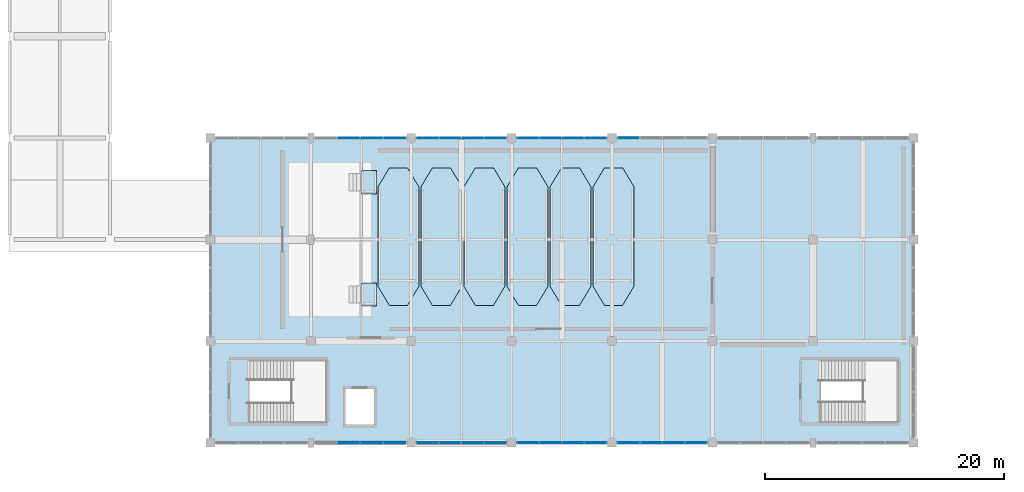
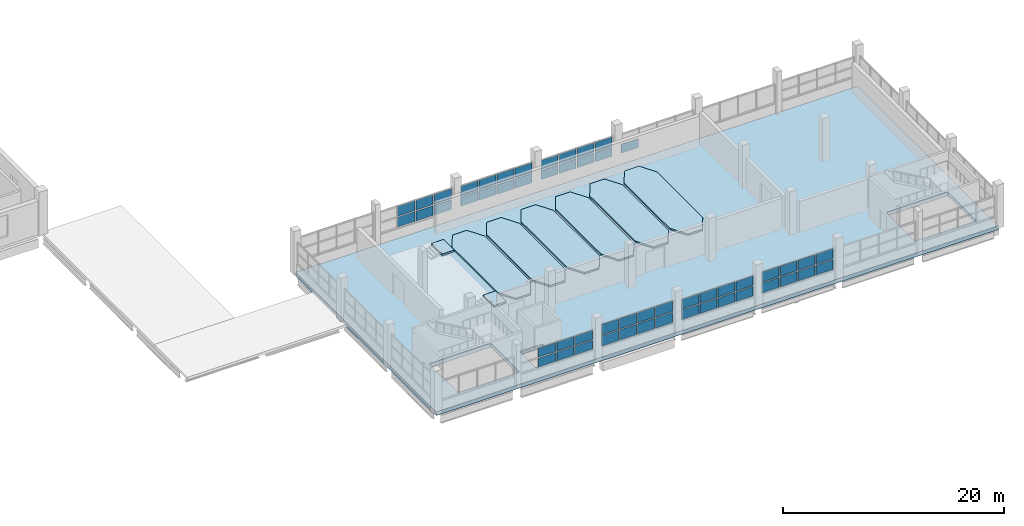
# One storey, part 91 of 117: 53 plates, 9 slabs, 8 elements without a shape of their own.
"""IFC4 building model written with IfcOpenShell, lengths in metres."""

from ifc_helpers import new_model, si_unit, direction, frame, origin, origin_2d, place, context, subcontext, project, spatial, polyline, rectangle, outline, extrude, material, layer, layer_set, type_object, element, aggregate, save


model = new_model("IFC4")

# Units and contexts
model_context = context("Model", 3, precision=1e-05, world=origin(), true_north=direction((0.0, 1.0)))
body_context = subcontext(model_context, "Body", "Model", "MODEL_VIEW")
ifc_project = project(units=[si_unit("LENGTHUNIT", "METRE"), si_unit("AREAUNIT", "SQUARE_METRE"), si_unit("VOLUMEUNIT", "CUBIC_METRE"), si_unit("PLANEANGLEUNIT", "RADIAN"), si_unit("MASSUNIT", "GRAM", prefix="KILO")], contexts=[model_context])

# Site, building, storey
site_placement = place(None, origin())
site = spatial("IfcSite", under=ifc_project, at=site_placement, CompositionType="ELEMENT")
building_placement = place(site_placement, origin())
building = spatial("IfcBuilding", under=site, at=building_placement, Name="Solvento Point Concert Hall", CompositionType="ELEMENT")
storey_placement = place(building_placement, frame((0.0, 0.0, 5.39990234375)))
storey = spatial("IfcBuildingStorey", under=building, at=storey_placement, Name="L01", CompositionType="ELEMENT", Elevation=5.39990234375)

# Curtain wall, plates
ifc_material_1 = material(Name="Anodized Bronze Aluminium", Category="aluminium")
curtain_wall_type = type_object("IfcCurtainWallType", Name="CurtainWall_ChamberCircle", PredefinedType="USERDEFINED", material=ifc_material_1)
curtain_wall_1_placement = place(storey_placement, origin())
curtain_wall_1 = element("IfcCurtainWall", 1, at=curtain_wall_1_placement, inside=storey, type_object=curtain_wall_type, Name="Unitised curtain wall CW-32 UCW-L01-077", ObjectType="UNITISED CURTAIN WALL", PredefinedType="USERDEFINED")
ifc_material_2 = material(Name="Hurricane Laminated Low-E Glass", Category="glass")
plate_type = type_object("IfcPlateType", Name="CurtainPanel_ChamberCircle", PredefinedType="CURTAIN_PANEL", material=ifc_material_2)
plate_1_placement = place(storey_placement, frame((161.578125, 25.5, 1.240234375), z_axis=(0.0, 0.0, 1.0), x_axis=(1.0, 0.0, 0.0)))
plate_1 = element("IfcPlate", 2, at=plate_1_placement, type_object=plate_type, Name="Glazed curtain panel GL-05", PredefinedType="CURTAIN_PANEL", context=body_context, shape_type="SweptSolid", body=[
    extrude(rectangle(XDim=1.798828125, YDim=0.048095703125, at=origin_2d()), origin(), (0.0, 0.0, 1.0), 1.08544921875),
])
plate_2_placement = place(storey_placement, frame((161.578125, 25.5, 2.445556640625), z_axis=(0.0, 0.0, 1.0), x_axis=(1.0, 0.0, 0.0)))
plate_2 = element("IfcPlate", 3, at=plate_2_placement, type_object=plate_type, Name="Glazed curtain panel GL-05", PredefinedType="CURTAIN_PANEL", context=body_context, shape_type="SweptSolid", body=[
    extrude(rectangle(XDim=1.798828125, YDim=0.048095703125, at=origin_2d()), origin(), (0.0, 0.0, 1.0), 1.08544921875),
])
plate_3_placement = place(storey_placement, frame((163.496826171875, 25.5, 1.240234375), z_axis=(0.0, 0.0, 1.0), x_axis=(1.0, 0.0, 0.0)))
plate_3 = element("IfcPlate", 4, at=plate_3_placement, type_object=plate_type, Name="Glazed curtain panel GL-05", PredefinedType="CURTAIN_PANEL", context=body_context, shape_type="SweptSolid", body=[
    extrude(rectangle(XDim=1.798828125, YDim=0.048095703125, at=origin_2d()), origin(), (0.0, 0.0, 1.0), 1.08544921875),
])
plate_4_placement = place(storey_placement, frame((163.496826171875, 25.5, 2.445556640625), z_axis=(0.0, 0.0, 1.0), x_axis=(1.0, 0.0, 0.0)))
plate_4 = element("IfcPlate", 5, at=plate_4_placement, type_object=plate_type, Name="Glazed curtain panel GL-05", PredefinedType="CURTAIN_PANEL", context=body_context, shape_type="SweptSolid", body=[
    extrude(rectangle(XDim=1.798828125, YDim=0.048095703125, at=origin_2d()), origin(), (0.0, 0.0, 1.0), 1.08544921875),
])
plate_5_placement = place(storey_placement, frame((165.41552734375, 25.5, 1.240234375), z_axis=(0.0, 0.0, 1.0), x_axis=(1.0, 0.0, 0.0)))
plate_5 = element("IfcPlate", 6, at=plate_5_placement, type_object=plate_type, Name="Glazed curtain panel GL-05", PredefinedType="CURTAIN_PANEL", context=body_context, shape_type="SweptSolid", body=[
    extrude(rectangle(XDim=1.798828125, YDim=0.048095703125, at=origin_2d()), origin(), (0.0, 0.0, 1.0), 1.08544921875),
])
plate_6_placement = place(storey_placement, frame((165.41552734375, 25.5, 2.445556640625), z_axis=(0.0, 0.0, 1.0), x_axis=(1.0, 0.0, 0.0)))
plate_6 = element("IfcPlate", 7, at=plate_6_placement, type_object=plate_type, Name="Glazed curtain panel GL-05", PredefinedType="CURTAIN_PANEL", context=body_context, shape_type="SweptSolid", body=[
    extrude(rectangle(XDim=1.798828125, YDim=0.048095703125, at=origin_2d()), origin(), (0.0, 0.0, 1.0), 1.08544921875),
])
aggregate(curtain_wall_1, [plate_1, plate_2, plate_3, plate_4, plate_5, plate_6])

curtain_wall_2_placement = place(storey_placement, origin())
curtain_wall_2 = element("IfcCurtainWall", 8, at=curtain_wall_2_placement, inside=storey, type_object=curtain_wall_type, Name="Unitised curtain wall CW-32 UCW-L01-078", ObjectType="UNITISED CURTAIN WALL", PredefinedType="USERDEFINED")
plate_7_placement = place(storey_placement, frame((168.168701171875, 25.5, 1.240234375), z_axis=(0.0, 0.0, 1.0), x_axis=(1.0, 0.0, 0.0)))
plate_7 = element("IfcPlate", 9, at=plate_7_placement, type_object=plate_type, Name="Glazed curtain panel GL-05", PredefinedType="CURTAIN_PANEL", context=body_context, shape_type="SweptSolid", body=[
    extrude(rectangle(XDim=1.767578125, YDim=0.048095703125, at=origin_2d()), origin(), (0.0, 0.0, 1.0), 1.047119140625),
])
plate_8_placement = place(storey_placement, frame((168.168701171875, 25.5, 2.4072265625), z_axis=(0.0, 0.0, 1.0), x_axis=(1.0, 0.0, 0.0)))
plate_8 = element("IfcPlate", 10, at=plate_8_placement, type_object=plate_type, Name="Glazed curtain panel GL-05", PredefinedType="CURTAIN_PANEL", context=body_context, shape_type="SweptSolid", body=[
    extrude(rectangle(XDim=1.767578125, YDim=0.048095703125, at=origin_2d()), origin(), (0.0, 0.0, 1.0), 1.047119140625),
])
plate_9_placement = place(storey_placement, frame((170.056396484375, 25.5, 1.240234375), z_axis=(0.0, 0.0, 1.0), x_axis=(1.0, 0.0, 0.0)))
plate_9 = element("IfcPlate", 11, at=plate_9_placement, type_object=plate_type, Name="Glazed curtain panel GL-05", PredefinedType="CURTAIN_PANEL", context=body_context, shape_type="SweptSolid", body=[
    extrude(rectangle(XDim=1.767578125, YDim=0.048095703125, at=origin_2d()), origin(), (0.0, 0.0, 1.0), 1.047119140625),
])
plate_10_placement = place(storey_placement, frame((170.056396484375, 25.5, 2.4072265625), z_axis=(0.0, 0.0, 1.0), x_axis=(1.0, 0.0, 0.0)))
plate_10 = element("IfcPlate", 12, at=plate_10_placement, type_object=plate_type, Name="Glazed curtain panel GL-05", PredefinedType="CURTAIN_PANEL", context=body_context, shape_type="SweptSolid", body=[
    extrude(rectangle(XDim=1.767578125, YDim=0.048095703125, at=origin_2d()), origin(), (0.0, 0.0, 1.0), 1.047119140625),
])
plate_11_placement = place(storey_placement, frame((171.943603515625, 25.5, 1.240234375), z_axis=(0.0, 0.0, 1.0), x_axis=(1.0, 0.0, 0.0)))
plate_11 = element("IfcPlate", 13, at=plate_11_placement, type_object=plate_type, Name="Glazed curtain panel GL-05", PredefinedType="CURTAIN_PANEL", context=body_context, shape_type="SweptSolid", body=[
    extrude(rectangle(XDim=1.767578125, YDim=0.048095703125, at=origin_2d()), origin(), (0.0, 0.0, 1.0), 1.047119140625),
])
plate_12_placement = place(storey_placement, frame((171.943603515625, 25.5, 2.4072265625), z_axis=(0.0, 0.0, 1.0), x_axis=(1.0, 0.0, 0.0)))
plate_12 = element("IfcPlate", 14, at=plate_12_placement, type_object=plate_type, Name="Glazed curtain panel GL-05", PredefinedType="CURTAIN_PANEL", context=body_context, shape_type="SweptSolid", body=[
    extrude(rectangle(XDim=1.767578125, YDim=0.048095703125, at=origin_2d()), origin(), (0.0, 0.0, 1.0), 1.047119140625),
])
plate_13_placement = place(storey_placement, frame((173.831298828125, 25.5, 1.240234375), z_axis=(0.0, 0.0, 1.0), x_axis=(1.0, 0.0, 0.0)))
plate_13 = element("IfcPlate", 15, at=plate_13_placement, type_object=plate_type, Name="Glazed curtain panel GL-05", PredefinedType="CURTAIN_PANEL", context=body_context, shape_type="SweptSolid", body=[
    extrude(rectangle(XDim=1.767578125, YDim=0.048095703125, at=origin_2d()), origin(), (0.0, 0.0, 1.0), 1.047119140625),
])
plate_14_placement = place(storey_placement, frame((173.831298828125, 25.5, 2.4072265625), z_axis=(0.0, 0.0, 1.0), x_axis=(1.0, 0.0, 0.0)))
plate_14 = element("IfcPlate", 16, at=plate_14_placement, type_object=plate_type, Name="Glazed curtain panel GL-05", PredefinedType="CURTAIN_PANEL", context=body_context, shape_type="SweptSolid", body=[
    extrude(rectangle(XDim=1.767578125, YDim=0.048095703125, at=origin_2d()), origin(), (0.0, 0.0, 1.0), 1.047119140625),
])
aggregate(curtain_wall_2, [plate_7, plate_8, plate_9, plate_10, plate_11, plate_12, plate_13, plate_14])

curtain_wall_3_placement = place(storey_placement, origin())
curtain_wall_3 = element("IfcCurtainWall", 17, at=curtain_wall_3_placement, inside=storey, type_object=curtain_wall_type, Name="Unitised curtain wall CW-32 UCW-L01-079", ObjectType="UNITISED CURTAIN WALL", PredefinedType="USERDEFINED")
plate_15_placement = place(storey_placement, frame((176.568603515625, 25.5, 1.239990234375), z_axis=(0.0, 0.0, 1.0), x_axis=(1.0, 0.0, 0.0)))
plate_15 = element("IfcPlate", 18, at=plate_15_placement, type_object=plate_type, Name="Glazed curtain panel GL-05", PredefinedType="CURTAIN_PANEL", context=body_context, shape_type="SweptSolid", body=[
    extrude(rectangle(XDim=1.767578125, YDim=0.048095703125, at=origin_2d()), origin(), (0.0, 0.0, 1.0), 1.00244140625),
])
plate_16_placement = place(storey_placement, frame((176.568603515625, 25.5, 2.362548828125), z_axis=(0.0, 0.0, 1.0), x_axis=(1.0, 0.0, 0.0)))
plate_16 = element("IfcPlate", 19, at=plate_16_placement, type_object=plate_type, Name="Glazed curtain panel GL-05", PredefinedType="CURTAIN_PANEL", context=body_context, shape_type="SweptSolid", body=[
    extrude(rectangle(XDim=1.767578125, YDim=0.048095703125, at=origin_2d()), origin(), (0.0, 0.0, 1.0), 1.00244140625),
])
plate_17_placement = place(storey_placement, frame((178.456298828125, 25.5, 1.239990234375), z_axis=(0.0, 0.0, 1.0), x_axis=(1.0, 0.0, 0.0)))
plate_17 = element("IfcPlate", 20, at=plate_17_placement, type_object=plate_type, Name="Glazed curtain panel GL-05", PredefinedType="CURTAIN_PANEL", context=body_context, shape_type="SweptSolid", body=[
    extrude(rectangle(XDim=1.767578125, YDim=0.048095703125, at=origin_2d()), origin(), (0.0, 0.0, 1.0), 1.00244140625),
])
plate_18_placement = place(storey_placement, frame((178.456298828125, 25.5, 2.362548828125), z_axis=(0.0, 0.0, 1.0), x_axis=(1.0, 0.0, 0.0)))
plate_18 = element("IfcPlate", 21, at=plate_18_placement, type_object=plate_type, Name="Glazed curtain panel GL-05", PredefinedType="CURTAIN_PANEL", context=body_context, shape_type="SweptSolid", body=[
    extrude(rectangle(XDim=1.767578125, YDim=0.048095703125, at=origin_2d()), origin(), (0.0, 0.0, 1.0), 1.00244140625),
])
plate_19_placement = place(storey_placement, frame((180.34375, 25.5, 1.239990234375), z_axis=(0.0, 0.0, 1.0), x_axis=(1.0, 0.0, 0.0)))
plate_19 = element("IfcPlate", 22, at=plate_19_placement, type_object=plate_type, Name="Glazed curtain panel GL-05", PredefinedType="CURTAIN_PANEL", context=body_context, shape_type="SweptSolid", body=[
    extrude(rectangle(XDim=1.767578125, YDim=0.048095703125, at=origin_2d()), origin(), (0.0, 0.0, 1.0), 1.00244140625),
])
plate_20_placement = place(storey_placement, frame((180.34375, 25.5, 2.362548828125), z_axis=(0.0, 0.0, 1.0), x_axis=(1.0, 0.0, 0.0)))
plate_20 = element("IfcPlate", 23, at=plate_20_placement, type_object=plate_type, Name="Glazed curtain panel GL-05", PredefinedType="CURTAIN_PANEL", context=body_context, shape_type="SweptSolid", body=[
    extrude(rectangle(XDim=1.767578125, YDim=0.048095703125, at=origin_2d()), origin(), (0.0, 0.0, 1.0), 1.00244140625),
])
plate_21_placement = place(storey_placement, frame((182.231201171875, 25.5, 1.239990234375), z_axis=(0.0, 0.0, 1.0), x_axis=(1.0, 0.0, 0.0)))
plate_21 = element("IfcPlate", 24, at=plate_21_placement, type_object=plate_type, Name="Glazed curtain panel GL-05", PredefinedType="CURTAIN_PANEL", context=body_context, shape_type="SweptSolid", body=[
    extrude(rectangle(XDim=1.767578125, YDim=0.048095703125, at=origin_2d()), origin(), (0.0, 0.0, 1.0), 1.00244140625),
])
plate_22_placement = place(storey_placement, frame((182.231201171875, 25.5, 2.362548828125), z_axis=(0.0, 0.0, 1.0), x_axis=(1.0, 0.0, 0.0)))
plate_22 = element("IfcPlate", 25, at=plate_22_placement, type_object=plate_type, Name="Glazed curtain panel GL-05", PredefinedType="CURTAIN_PANEL", context=body_context, shape_type="SweptSolid", body=[
    extrude(rectangle(XDim=1.767578125, YDim=0.048095703125, at=origin_2d()), origin(), (0.0, 0.0, 1.0), 1.00244140625),
])
aggregate(curtain_wall_3, [plate_15, plate_16, plate_17, plate_18, plate_19, plate_20, plate_21, plate_22])

# Curtain wall, plate
curtain_wall_4_placement = place(storey_placement, origin())
curtain_wall_4 = element("IfcCurtainWall", 26, at=curtain_wall_4_placement, inside=storey, type_object=curtain_wall_type, Name="Unitised curtain wall CW-32 UCW-L01-080", ObjectType="UNITISED CURTAIN WALL", PredefinedType="USERDEFINED")
plate_23_placement = place(storey_placement, frame((184.96875, 25.5, 1.240234375), z_axis=(0.0, 0.0, 1.0), x_axis=(1.0, 0.0, 0.0)))
plate_23 = element("IfcPlate", 27, at=plate_23_placement, type_object=plate_type, Name="Glazed curtain panel GL-05", PredefinedType="CURTAIN_PANEL", context=body_context, shape_type="SweptSolid", body=[
    extrude(rectangle(XDim=1.767578125, YDim=0.048095703125, at=origin_2d()), origin(), (0.0, 0.0, 1.0), 0.968505859375),
])
aggregate(curtain_wall_4, [plate_23])

# Curtain wall, plates
curtain_wall_5_placement = place(storey_placement, origin())
curtain_wall_5 = element("IfcCurtainWall", 28, at=curtain_wall_5_placement, inside=storey, type_object=curtain_wall_type, Name="Unitised curtain wall CW-32 UCW-L01-087", ObjectType="UNITISED CURTAIN WALL", PredefinedType="USERDEFINED")
plate_24_placement = place(storey_placement, frame((161.578125, 0.0, 1.240234375), z_axis=(0.0, 0.0, 1.0), x_axis=(1.0, 0.0, 0.0)))
plate_24 = element("IfcPlate", 29, at=plate_24_placement, type_object=plate_type, Name="Glazed curtain panel GL-05", PredefinedType="CURTAIN_PANEL", context=body_context, shape_type="SweptSolid", body=[
    extrude(rectangle(XDim=1.798828125, YDim=0.048095703125, at=origin_2d()), origin(), (0.0, 0.0, 1.0), 0.971923828125),
])
plate_25_placement = place(storey_placement, frame((161.578125, 0.0, 2.33203125), z_axis=(0.0, 0.0, 1.0), x_axis=(1.0, 0.0, 0.0)))
plate_25 = element("IfcPlate", 30, at=plate_25_placement, type_object=plate_type, Name="Glazed curtain panel GL-05", PredefinedType="CURTAIN_PANEL", context=body_context, shape_type="SweptSolid", body=[
    extrude(rectangle(XDim=1.798828125, YDim=0.048095703125, at=origin_2d()), origin(), (0.0, 0.0, 1.0), 0.971923828125),
])
plate_26_placement = place(storey_placement, frame((163.496826171875, 0.0, 1.240234375), z_axis=(0.0, 0.0, 1.0), x_axis=(1.0, 0.0, 0.0)))
plate_26 = element("IfcPlate", 31, at=plate_26_placement, type_object=plate_type, Name="Glazed curtain panel GL-05", PredefinedType="CURTAIN_PANEL", context=body_context, shape_type="SweptSolid", body=[
    extrude(rectangle(XDim=1.798828125, YDim=0.048095703125, at=origin_2d()), origin(), (0.0, 0.0, 1.0), 0.971923828125),
])
plate_27_placement = place(storey_placement, frame((163.496826171875, 0.0, 2.33203125), z_axis=(0.0, 0.0, 1.0), x_axis=(1.0, 0.0, 0.0)))
plate_27 = element("IfcPlate", 32, at=plate_27_placement, type_object=plate_type, Name="Glazed curtain panel GL-05", PredefinedType="CURTAIN_PANEL", context=body_context, shape_type="SweptSolid", body=[
    extrude(rectangle(XDim=1.798828125, YDim=0.048095703125, at=origin_2d()), origin(), (0.0, 0.0, 1.0), 0.971923828125),
])
plate_28_placement = place(storey_placement, frame((165.41552734375, 0.0, 1.240234375), z_axis=(0.0, 0.0, 1.0), x_axis=(1.0, 0.0, 0.0)))
plate_28 = element("IfcPlate", 33, at=plate_28_placement, type_object=plate_type, Name="Glazed curtain panel GL-05", PredefinedType="CURTAIN_PANEL", context=body_context, shape_type="SweptSolid", body=[
    extrude(rectangle(XDim=1.798828125, YDim=0.048095703125, at=origin_2d()), origin(), (0.0, 0.0, 1.0), 0.971923828125),
])
plate_29_placement = place(storey_placement, frame((165.41552734375, 0.0, 2.33203125), z_axis=(0.0, 0.0, 1.0), x_axis=(1.0, 0.0, 0.0)))
plate_29 = element("IfcPlate", 34, at=plate_29_placement, type_object=plate_type, Name="Glazed curtain panel GL-05", PredefinedType="CURTAIN_PANEL", context=body_context, shape_type="SweptSolid", body=[
    extrude(rectangle(XDim=1.798828125, YDim=0.048095703125, at=origin_2d()), origin(), (0.0, 0.0, 1.0), 0.971923828125),
])
aggregate(curtain_wall_5, [plate_24, plate_25, plate_26, plate_27, plate_28, plate_29])

curtain_wall_6_placement = place(storey_placement, origin())
curtain_wall_6 = element("IfcCurtainWall", 35, at=curtain_wall_6_placement, inside=storey, type_object=curtain_wall_type, Name="Unitised curtain wall CW-32 UCW-L01-088", ObjectType="UNITISED CURTAIN WALL", PredefinedType="USERDEFINED")
plate_30_placement = place(storey_placement, frame((168.168701171875, 0.0, 1.240234375), z_axis=(0.0, 0.0, 1.0), x_axis=(1.0, 0.0, 0.0)))
plate_30 = element("IfcPlate", 36, at=plate_30_placement, type_object=plate_type, Name="Glazed curtain panel GL-05", PredefinedType="CURTAIN_PANEL", context=body_context, shape_type="SweptSolid", body=[
    extrude(rectangle(XDim=1.767578125, YDim=0.048095703125, at=origin_2d()), origin(), (0.0, 0.0, 1.0), 1.1279296875),
])
plate_31_placement = place(storey_placement, frame((168.168701171875, 0.0, 2.488037109375), z_axis=(0.0, 0.0, 1.0), x_axis=(1.0, 0.0, 0.0)))
plate_31 = element("IfcPlate", 37, at=plate_31_placement, type_object=plate_type, Name="Glazed curtain panel GL-05", PredefinedType="CURTAIN_PANEL", context=body_context, shape_type="SweptSolid", body=[
    extrude(rectangle(XDim=1.767578125, YDim=0.048095703125, at=origin_2d()), origin(), (0.0, 0.0, 1.0), 1.1279296875),
])
plate_32_placement = place(storey_placement, frame((170.056396484375, 0.0, 1.240234375), z_axis=(0.0, 0.0, 1.0), x_axis=(1.0, 0.0, 0.0)))
plate_32 = element("IfcPlate", 38, at=plate_32_placement, type_object=plate_type, Name="Glazed curtain panel GL-05", PredefinedType="CURTAIN_PANEL", context=body_context, shape_type="SweptSolid", body=[
    extrude(rectangle(XDim=1.767578125, YDim=0.048095703125, at=origin_2d()), origin(), (0.0, 0.0, 1.0), 1.1279296875),
])
plate_33_placement = place(storey_placement, frame((170.056396484375, 0.0, 2.488037109375), z_axis=(0.0, 0.0, 1.0), x_axis=(1.0, 0.0, 0.0)))
plate_33 = element("IfcPlate", 39, at=plate_33_placement, type_object=plate_type, Name="Glazed curtain panel GL-05", PredefinedType="CURTAIN_PANEL", context=body_context, shape_type="SweptSolid", body=[
    extrude(rectangle(XDim=1.767578125, YDim=0.048095703125, at=origin_2d()), origin(), (0.0, 0.0, 1.0), 1.1279296875),
])
plate_34_placement = place(storey_placement, frame((171.943603515625, 0.0, 1.240234375), z_axis=(0.0, 0.0, 1.0), x_axis=(1.0, 0.0, 0.0)))
plate_34 = element("IfcPlate", 40, at=plate_34_placement, type_object=plate_type, Name="Glazed curtain panel GL-05", PredefinedType="CURTAIN_PANEL", context=body_context, shape_type="SweptSolid", body=[
    extrude(rectangle(XDim=1.767578125, YDim=0.048095703125, at=origin_2d()), origin(), (0.0, 0.0, 1.0), 1.1279296875),
])
plate_35_placement = place(storey_placement, frame((171.943603515625, 0.0, 2.488037109375), z_axis=(0.0, 0.0, 1.0), x_axis=(1.0, 0.0, 0.0)))
plate_35 = element("IfcPlate", 41, at=plate_35_placement, type_object=plate_type, Name="Glazed curtain panel GL-05", PredefinedType="CURTAIN_PANEL", context=body_context, shape_type="SweptSolid", body=[
    extrude(rectangle(XDim=1.767578125, YDim=0.048095703125, at=origin_2d()), origin(), (0.0, 0.0, 1.0), 1.1279296875),
])
plate_36_placement = place(storey_placement, frame((173.831298828125, 0.0, 1.240234375), z_axis=(0.0, 0.0, 1.0), x_axis=(1.0, 0.0, 0.0)))
plate_36 = element("IfcPlate", 42, at=plate_36_placement, type_object=plate_type, Name="Glazed curtain panel GL-05", PredefinedType="CURTAIN_PANEL", context=body_context, shape_type="SweptSolid", body=[
    extrude(rectangle(XDim=1.767578125, YDim=0.048095703125, at=origin_2d()), origin(), (0.0, 0.0, 1.0), 1.1279296875),
])
plate_37_placement = place(storey_placement, frame((173.831298828125, 0.0, 2.488037109375), z_axis=(0.0, 0.0, 1.0), x_axis=(1.0, 0.0, 0.0)))
plate_37 = element("IfcPlate", 43, at=plate_37_placement, type_object=plate_type, Name="Glazed curtain panel GL-05", PredefinedType="CURTAIN_PANEL", context=body_context, shape_type="SweptSolid", body=[
    extrude(rectangle(XDim=1.767578125, YDim=0.048095703125, at=origin_2d()), origin(), (0.0, 0.0, 1.0), 1.1279296875),
])
aggregate(curtain_wall_6, [plate_30, plate_31, plate_32, plate_33, plate_34, plate_35, plate_36, plate_37])

curtain_wall_7_placement = place(storey_placement, origin())
curtain_wall_7 = element("IfcCurtainWall", 44, at=curtain_wall_7_placement, inside=storey, type_object=curtain_wall_type, Name="Unitised curtain wall CW-32 UCW-L01-089", ObjectType="UNITISED CURTAIN WALL", PredefinedType="USERDEFINED")
plate_38_placement = place(storey_placement, frame((176.568603515625, 0.0, 1.239990234375), z_axis=(0.0, 0.0, 1.0), x_axis=(1.0, 0.0, 0.0)))
plate_38 = element("IfcPlate", 45, at=plate_38_placement, type_object=plate_type, Name="Glazed curtain panel GL-05", PredefinedType="CURTAIN_PANEL", context=body_context, shape_type="SweptSolid", body=[
    extrude(rectangle(XDim=1.767578125, YDim=0.048095703125, at=origin_2d()), origin(), (0.0, 0.0, 1.0), 1.0419921875),
])
plate_39_placement = place(storey_placement, frame((176.568603515625, 0.0, 2.402099609375), z_axis=(0.0, 0.0, 1.0), x_axis=(1.0, 0.0, 0.0)))
plate_39 = element("IfcPlate", 46, at=plate_39_placement, type_object=plate_type, Name="Glazed curtain panel GL-05", PredefinedType="CURTAIN_PANEL", context=body_context, shape_type="SweptSolid", body=[
    extrude(rectangle(XDim=1.767578125, YDim=0.048095703125, at=origin_2d()), origin(), (0.0, 0.0, 1.0), 1.0419921875),
])
plate_40_placement = place(storey_placement, frame((178.456298828125, 0.0, 1.239990234375), z_axis=(0.0, 0.0, 1.0), x_axis=(1.0, 0.0, 0.0)))
plate_40 = element("IfcPlate", 47, at=plate_40_placement, type_object=plate_type, Name="Glazed curtain panel GL-05", PredefinedType="CURTAIN_PANEL", context=body_context, shape_type="SweptSolid", body=[
    extrude(rectangle(XDim=1.767578125, YDim=0.048095703125, at=origin_2d()), origin(), (0.0, 0.0, 1.0), 1.0419921875),
])
plate_41_placement = place(storey_placement, frame((178.456298828125, 0.0, 2.402099609375), z_axis=(0.0, 0.0, 1.0), x_axis=(1.0, 0.0, 0.0)))
plate_41 = element("IfcPlate", 48, at=plate_41_placement, type_object=plate_type, Name="Glazed curtain panel GL-05", PredefinedType="CURTAIN_PANEL", context=body_context, shape_type="SweptSolid", body=[
    extrude(rectangle(XDim=1.767578125, YDim=0.048095703125, at=origin_2d()), origin(), (0.0, 0.0, 1.0), 1.0419921875),
])
plate_42_placement = place(storey_placement, frame((180.34375, 0.0, 1.239990234375), z_axis=(0.0, 0.0, 1.0), x_axis=(1.0, 0.0, 0.0)))
plate_42 = element("IfcPlate", 49, at=plate_42_placement, type_object=plate_type, Name="Glazed curtain panel GL-05", PredefinedType="CURTAIN_PANEL", context=body_context, shape_type="SweptSolid", body=[
    extrude(rectangle(XDim=1.767578125, YDim=0.048095703125, at=origin_2d()), origin(), (0.0, 0.0, 1.0), 1.0419921875),
])
plate_43_placement = place(storey_placement, frame((180.34375, 0.0, 2.402099609375), z_axis=(0.0, 0.0, 1.0), x_axis=(1.0, 0.0, 0.0)))
plate_43 = element("IfcPlate", 50, at=plate_43_placement, type_object=plate_type, Name="Glazed curtain panel GL-05", PredefinedType="CURTAIN_PANEL", context=body_context, shape_type="SweptSolid", body=[
    extrude(rectangle(XDim=1.767578125, YDim=0.048095703125, at=origin_2d()), origin(), (0.0, 0.0, 1.0), 1.0419921875),
])
plate_44_placement = place(storey_placement, frame((182.231201171875, 0.0, 1.239990234375), z_axis=(0.0, 0.0, 1.0), x_axis=(1.0, 0.0, 0.0)))
plate_44 = element("IfcPlate", 51, at=plate_44_placement, type_object=plate_type, Name="Glazed curtain panel GL-05", PredefinedType="CURTAIN_PANEL", context=body_context, shape_type="SweptSolid", body=[
    extrude(rectangle(XDim=1.767578125, YDim=0.048095703125, at=origin_2d()), origin(), (0.0, 0.0, 1.0), 1.0419921875),
])
plate_45_placement = place(storey_placement, frame((182.231201171875, 0.0, 2.402099609375), z_axis=(0.0, 0.0, 1.0), x_axis=(1.0, 0.0, 0.0)))
plate_45 = element("IfcPlate", 52, at=plate_45_placement, type_object=plate_type, Name="Glazed curtain panel GL-05", PredefinedType="CURTAIN_PANEL", context=body_context, shape_type="SweptSolid", body=[
    extrude(rectangle(XDim=1.767578125, YDim=0.048095703125, at=origin_2d()), origin(), (0.0, 0.0, 1.0), 1.0419921875),
])
aggregate(curtain_wall_7, [plate_38, plate_39, plate_40, plate_41, plate_42, plate_43, plate_44, plate_45])

curtain_wall_8_placement = place(storey_placement, origin())
curtain_wall_8 = element("IfcCurtainWall", 53, at=curtain_wall_8_placement, inside=storey, type_object=curtain_wall_type, Name="Unitised curtain wall CW-32 UCW-L01-090", ObjectType="UNITISED CURTAIN WALL", PredefinedType="USERDEFINED")
plate_46_placement = place(storey_placement, frame((184.96875, 0.0, 1.240234375), z_axis=(0.0, 0.0, 1.0), x_axis=(1.0, 0.0, 0.0)))
plate_46 = element("IfcPlate", 54, at=plate_46_placement, type_object=plate_type, Name="Glazed curtain panel GL-05", PredefinedType="CURTAIN_PANEL", context=body_context, shape_type="SweptSolid", body=[
    extrude(rectangle(XDim=1.767578125, YDim=0.048095703125, at=origin_2d()), origin(), (0.0, 0.0, 1.0), 1.08544921875),
])
plate_47_placement = place(storey_placement, frame((184.96875, 0.0, 2.445556640625), z_axis=(0.0, 0.0, 1.0), x_axis=(1.0, 0.0, 0.0)))
plate_47 = element("IfcPlate", 55, at=plate_47_placement, type_object=plate_type, Name="Glazed curtain panel GL-05", PredefinedType="CURTAIN_PANEL", context=body_context, shape_type="SweptSolid", body=[
    extrude(rectangle(XDim=1.767578125, YDim=0.048095703125, at=origin_2d()), origin(), (0.0, 0.0, 1.0), 1.08544921875),
])
plate_48_placement = place(storey_placement, frame((186.856201171875, 0.0, 1.240234375), z_axis=(0.0, 0.0, 1.0), x_axis=(1.0, 0.0, 0.0)))
plate_48 = element("IfcPlate", 56, at=plate_48_placement, type_object=plate_type, Name="Glazed curtain panel GL-05", PredefinedType="CURTAIN_PANEL", context=body_context, shape_type="SweptSolid", body=[
    extrude(rectangle(XDim=1.767578125, YDim=0.048095703125, at=origin_2d()), origin(), (0.0, 0.0, 1.0), 1.08544921875),
])
plate_49_placement = place(storey_placement, frame((186.856201171875, 0.0, 2.445556640625), z_axis=(0.0, 0.0, 1.0), x_axis=(1.0, 0.0, 0.0)))
plate_49 = element("IfcPlate", 57, at=plate_49_placement, type_object=plate_type, Name="Glazed curtain panel GL-05", PredefinedType="CURTAIN_PANEL", context=body_context, shape_type="SweptSolid", body=[
    extrude(rectangle(XDim=1.767578125, YDim=0.048095703125, at=origin_2d()), origin(), (0.0, 0.0, 1.0), 1.08544921875),
])
plate_50_placement = place(storey_placement, frame((188.743896484375, 0.0, 1.240234375), z_axis=(0.0, 0.0, 1.0), x_axis=(1.0, 0.0, 0.0)))
plate_50 = element("IfcPlate", 58, at=plate_50_placement, type_object=plate_type, Name="Glazed curtain panel GL-05", PredefinedType="CURTAIN_PANEL", context=body_context, shape_type="SweptSolid", body=[
    extrude(rectangle(XDim=1.767578125, YDim=0.048095703125, at=origin_2d()), origin(), (0.0, 0.0, 1.0), 1.08544921875),
])
plate_51_placement = place(storey_placement, frame((188.743896484375, 0.0, 2.445556640625), z_axis=(0.0, 0.0, 1.0), x_axis=(1.0, 0.0, 0.0)))
plate_51 = element("IfcPlate", 59, at=plate_51_placement, type_object=plate_type, Name="Glazed curtain panel GL-05", PredefinedType="CURTAIN_PANEL", context=body_context, shape_type="SweptSolid", body=[
    extrude(rectangle(XDim=1.767578125, YDim=0.048095703125, at=origin_2d()), origin(), (0.0, 0.0, 1.0), 1.08544921875),
])
plate_52_placement = place(storey_placement, frame((190.631103515625, 0.0, 1.240234375), z_axis=(0.0, 0.0, 1.0), x_axis=(1.0, 0.0, 0.0)))
plate_52 = element("IfcPlate", 60, at=plate_52_placement, type_object=plate_type, Name="Glazed curtain panel GL-05", PredefinedType="CURTAIN_PANEL", context=body_context, shape_type="SweptSolid", body=[
    extrude(rectangle(XDim=1.767578125, YDim=0.048095703125, at=origin_2d()), origin(), (0.0, 0.0, 1.0), 1.08544921875),
])
plate_53_placement = place(storey_placement, frame((190.631103515625, 0.0, 2.445556640625), z_axis=(0.0, 0.0, 1.0), x_axis=(1.0, 0.0, 0.0)))
plate_53 = element("IfcPlate", 61, at=plate_53_placement, type_object=plate_type, Name="Glazed curtain panel GL-05", PredefinedType="CURTAIN_PANEL", context=body_context, shape_type="SweptSolid", body=[
    extrude(rectangle(XDim=1.767578125, YDim=0.048095703125, at=origin_2d()), origin(), (0.0, 0.0, 1.0), 1.08544921875),
])
aggregate(curtain_wall_8, [plate_46, plate_47, plate_48, plate_49, plate_50, plate_51, plate_52, plate_53])

# Slabs
ifc_material_3 = material(Name="Concrete C40/50", Category="concrete")
ifc_layer_1 = layer(ifc_material_3, 0.419921875)
ifc_layer_set_1 = layer_set([ifc_layer_1], Name="Concrete C40/50")
slab_type_1 = type_object("IfcSlabType", Name="FloorSlab_400_Hall", PredefinedType="FLOOR", material=ifc_layer_set_1)
slab_1_placement = place(storey_placement, frame((0.0, 0.0, -0.419921875)))
element("IfcSlab", 62, at=slab_1_placement, inside=storey, type_object=slab_type_1, Name="Structural slab SL-AC1 SLAB-L01-V3", PredefinedType="FLOOR", context=body_context, shape_type="SweptSolid", body=[
    extrude(outline(polyline([(150.0, 25.5), (208.800048828125, 25.5), (208.800048828125, 0.0), (150.0, 0.0), (150.0, 25.5)]), holes=[polyline([(207.5, 6.89990234375), (201.050048828125, 6.89990234375), (201.050048828125, 1.699951171875), (207.5, 1.699951171875), (207.5, 6.89990234375)]), polyline([(163.679931640625, 1.52001953125), (163.679931640625, 4.47998046875), (161.320068359375, 4.47998046875), (161.320068359375, 1.52001953125), (163.679931640625, 1.52001953125)]), polyline([(159.699951171875, 1.699951171875), (159.699951171875, 6.89990234375), (153.25, 6.89990234375), (153.25, 1.699951171875), (159.699951171875, 1.699951171875)])]), origin(), (0.0, 0.0, 1.0), 0.419921875),
])
ifc_material_4 = material(Name="Concrete C35/45", Category="concrete")
ifc_layer_2 = layer(ifc_material_4, 0.169921875)
ifc_layer_set_2 = layer_set([ifc_layer_2], Name="Concrete C35/45")
slab_type_2 = type_object("IfcSlabType", Name="SeatingTier_175", PredefinedType="USERDEFINED", material=ifc_layer_set_2)
slab_2_placement = place(storey_placement, frame((0.0, 0.0, 0.190185546875)))
element("IfcSlab", 63, at=slab_2_placement, inside=storey, type_object=slab_type_2, Name="Stand chamber stalls tier row 1", ObjectType="SEATING TIER", PredefinedType="USERDEFINED", context=body_context, shape_type="SweptSolid", body=[
    extrude(outline(polyline([(164.966064453125, 11.5), (166.48388671875, 11.5), (167.449951171875, 13.110107421875), (167.449951171875, 21.389892578125), (166.48388671875, 23.0), (164.966064453125, 23.0), (164.0, 21.389892578125), (164.0, 13.110107421875), (164.966064453125, 11.5)])), origin(), (0.0, 0.0, 1.0), 0.169921875),
])
slab_3_placement = place(storey_placement, frame((0.0, 0.0, 0.35009765625)))
element("IfcSlab", 64, at=slab_3_placement, inside=storey, type_object=slab_type_2, Name="Stand chamber stalls tier row 2", ObjectType="SEATING TIER", PredefinedType="USERDEFINED", context=body_context, shape_type="SweptSolid", body=[
    extrude(outline(polyline([(168.56591796875, 11.5), (170.083984375, 11.5), (171.050048828125, 13.110107421875), (171.050048828125, 21.389892578125), (170.083984375, 23.0), (168.56591796875, 23.0), (167.60009765625, 21.389892578125), (167.60009765625, 13.110107421875), (168.56591796875, 11.5)])), origin(), (0.0, 0.0, 1.0), 0.169921875),
])
slab_4_placement = place(storey_placement, frame((0.0, 0.0, 0.510009765625)))
element("IfcSlab", 65, at=slab_4_placement, inside=storey, type_object=slab_type_2, Name="Stand chamber stalls tier row 3", ObjectType="SEATING TIER", PredefinedType="USERDEFINED", context=body_context, shape_type="SweptSolid", body=[
    extrude(outline(polyline([(172.166015625, 11.5), (173.68408203125, 11.5), (174.64990234375, 13.110107421875), (174.64990234375, 21.389892578125), (173.68408203125, 23.0), (172.166015625, 23.0), (171.199951171875, 21.389892578125), (171.199951171875, 13.110107421875), (172.166015625, 11.5)])), origin(), (0.0, 0.0, 1.0), 0.170166015625),
])
slab_5_placement = place(storey_placement, frame((0.0, 0.0, 0.670166015625)))
element("IfcSlab", 66, at=slab_5_placement, inside=storey, type_object=slab_type_2, Name="Stand chamber stalls tier row 4", ObjectType="SEATING TIER", PredefinedType="USERDEFINED", context=body_context, shape_type="SweptSolid", body=[
    extrude(outline(polyline([(175.76611328125, 11.5), (177.283935546875, 11.5), (178.25, 13.110107421875), (178.25, 21.389892578125), (177.283935546875, 23.0), (175.76611328125, 23.0), (174.800048828125, 21.389892578125), (174.800048828125, 13.110107421875), (175.76611328125, 11.5)])), origin(), (0.0, 0.0, 1.0), 0.169921875),
])
slab_6_placement = place(storey_placement, frame((0.0, 0.0, 0.830078125)))
element("IfcSlab", 67, at=slab_6_placement, inside=storey, type_object=slab_type_2, Name="Stand chamber stalls tier row 5", ObjectType="SEATING TIER", PredefinedType="USERDEFINED", context=body_context, shape_type="SweptSolid", body=[
    extrude(outline(polyline([(179.365966796875, 11.5), (180.884033203125, 11.5), (181.85009765625, 13.110107421875), (181.85009765625, 21.389892578125), (180.884033203125, 23.0), (179.365966796875, 23.0), (178.39990234375, 21.389892578125), (178.39990234375, 13.110107421875), (179.365966796875, 11.5)])), origin(), (0.0, 0.0, 1.0), 0.169921875),
])
slab_7_placement = place(storey_placement, frame((0.0, 0.0, 0.989990234375)))
element("IfcSlab", 68, at=slab_7_placement, inside=storey, type_object=slab_type_2, Name="Stand chamber stalls tier row 6", ObjectType="SEATING TIER", PredefinedType="USERDEFINED", context=body_context, shape_type="SweptSolid", body=[
    extrude(outline(polyline([(182.966064453125, 11.5), (184.48388671875, 11.5), (185.449951171875, 13.110107421875), (185.449951171875, 21.389892578125), (184.48388671875, 23.0), (182.966064453125, 23.0), (182.0, 21.389892578125), (182.0, 13.110107421875), (182.966064453125, 11.5)])), origin(), (0.0, 0.0, 1.0), 0.170166015625),
])
ifc_material_5 = material(Name="Concrete C35/45", Category="concrete")
ifc_layer_3 = layer(ifc_material_5, 0.179931640625)
ifc_layer_set_3 = layer_set([ifc_layer_3], Name="Concrete C35/45")
slab_type_3 = type_object("IfcSlabType", Name="StairLanding_180", PredefinedType="LANDING", material=ifc_layer_set_3)
slab_8_placement = place(storey_placement, frame((0.0, 0.0, 0.22509765625)))
element("IfcSlab", 69, at=slab_8_placement, inside=storey, type_object=slab_type_3, Name="Aisle stair arrival landing ST-ASL-04", PredefinedType="LANDING", context=body_context, shape_type="SweptSolid", body=[
    extrude(outline(polyline([(162.639892578125, 11.425048828125), (163.909912109375, 11.425048828125), (163.909912109375, 13.375), (162.639892578125, 13.375), (162.639892578125, 11.425048828125)])), origin(), (0.0, 0.0, 1.0), 0.179931640625),
])
slab_9_placement = place(storey_placement, frame((0.0, 0.0, 0.22509765625)))
element("IfcSlab", 70, at=slab_9_placement, inside=storey, type_object=slab_type_3, Name="Aisle stair arrival landing ST-ASL-05", PredefinedType="LANDING", context=body_context, shape_type="SweptSolid", body=[
    extrude(outline(polyline([(162.639892578125, 20.824951171875), (163.909912109375, 20.824951171875), (163.909912109375, 22.77490234375), (162.639892578125, 22.77490234375), (162.639892578125, 20.824951171875)])), origin(), (0.0, 0.0, 1.0), 0.179931640625),
])

save(model, "model.ifc")
